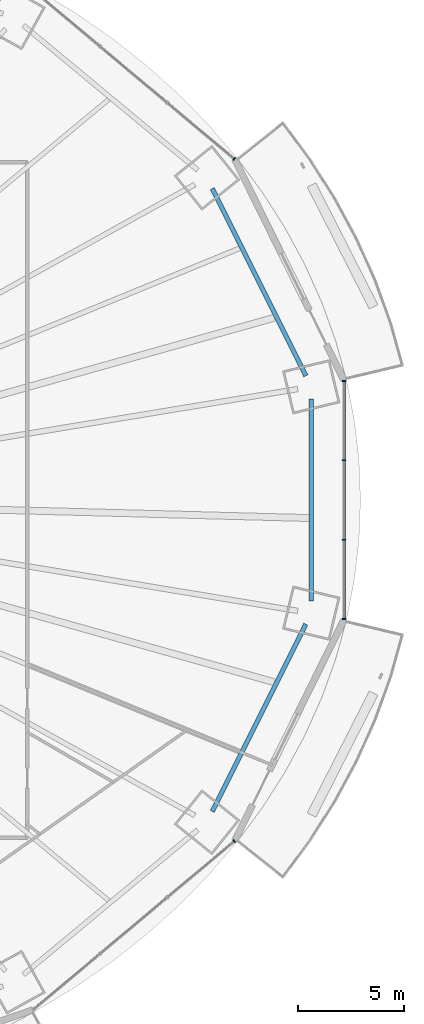
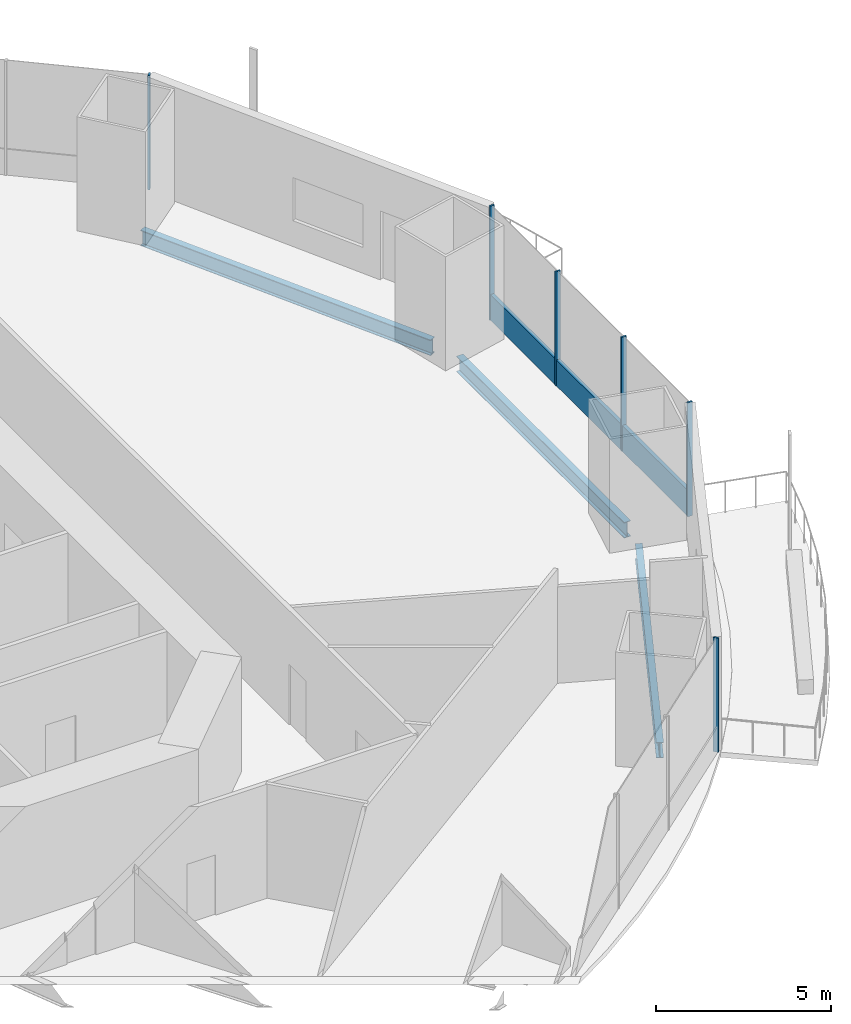
# One storey, part 11 of 22: 7 members, 3 beams, 3 elements without a shape of their own.
"""IFC4 building model written with IfcOpenShell, lengths in metres."""

from ifc_helpers import new_model, si_unit, direction, frame, origin, origin_2d, place, context, subcontext, project, spatial, rectangle, i_section, extrude, material, material_profile, profile_set, type_object, element, aggregate, save


model = new_model("IFC4")

# Units and contexts
model_context = context("Model", 3, precision=1e-05, world=origin(), true_north=direction((0.0, 1.0)))
body_context = subcontext(model_context, "Body", "Model", "MODEL_VIEW")
ifc_project = project(units=[si_unit("LENGTHUNIT", "METRE"), si_unit("AREAUNIT", "SQUARE_METRE"), si_unit("VOLUMEUNIT", "CUBIC_METRE"), si_unit("PLANEANGLEUNIT", "RADIAN"), si_unit("MASSUNIT", "GRAM", prefix="KILO")], contexts=[model_context])

# Site, building, storey
site_placement = place(None, origin())
site = spatial("IfcSite", under=ifc_project, at=site_placement, CompositionType="ELEMENT")
building_placement = place(site_placement, origin())
building = spatial("IfcBuilding", under=site, at=building_placement, Name="Marenthal Gate Tower", CompositionType="ELEMENT")
storey_placement = place(building_placement, frame((0.0, 0.0, 95.25)))
storey = spatial("IfcBuildingStorey", under=building, at=storey_placement, Name="L19", CompositionType="ELEMENT", Elevation=95.25)

# Curtain wall, member
ifc_material_1 = material(Name="Aluminium and glass", Category="aluminium")
curtain_wall_type = type_object("IfcCurtainWallType", Name="Curtain wall typical low", PredefinedType="NOTDEFINED", material=ifc_material_1)
curtain_wall_1_placement = place(storey_placement, origin())
curtain_wall_1 = element("IfcCurtainWall", 1, at=curtain_wall_1_placement, inside=storey, type_object=curtain_wall_type, Name="Curtain wall L19 bay 2", PredefinedType="NOTDEFINED")
ifc_material_2 = material(Name="Aluminium", Category="aluminium")
ifc_material_profile_1 = material_profile(ifc_material_2, rectangle(XDim=0.159912109375, YDim=0.06005859375, at=origin_2d()), Name="60x160 aluminium mullion")
ifc_profile_set_1 = profile_set([ifc_material_profile_1], Name="Aluminium")
member_type_1 = type_object("IfcMemberType", Name="Mullion 60x160 typical low", PredefinedType="MULLION", material=ifc_profile_set_1)
member_1_placement = place(storey_placement, frame((28.802490234375, 16.16015625, 0.0), z_axis=(0.0, 0.0, 1.0), x_axis=(-0.642307658805, -0.766446913648, 0.0)))
member_1 = element("IfcMember", 2, at=member_1_placement, type_object=member_type_1, Name="Mullion L19 bay 2.1", PredefinedType="MULLION", context=body_context, shape_type="SweptSolid", body=[
    extrude(rectangle(XDim=0.159912109375, YDim=0.06005859375, at=origin_2d()), origin(), (0.0, 0.0, 1.0), 3.969970703125),
])
aggregate(curtain_wall_1, [member_1])

curtain_wall_2_placement = place(storey_placement, origin())
curtain_wall_2 = element("IfcCurtainWall", 3, at=curtain_wall_2_placement, inside=storey, type_object=curtain_wall_type, Name="Curtain wall L19 bay 14", PredefinedType="NOTDEFINED")
member_2_placement = place(storey_placement, frame((28.802490234375, -16.160400390625, 0.0), z_axis=(0.0, 0.0, 1.0), x_axis=(-0.642307658805, 0.766446913648, 0.0)))
member_2 = element("IfcMember", 4, at=member_2_placement, type_object=member_type_1, Name="Mullion L19 bay 14.4", PredefinedType="MULLION", context=body_context, shape_type="SweptSolid", body=[
    extrude(rectangle(XDim=0.159912109375, YDim=0.06005859375, at=origin_2d()), origin(), (0.0, 0.0, 1.0), 3.969970703125),
])
aggregate(curtain_wall_2, [member_2])

# Curtain wall, members
curtain_wall_3_placement = place(storey_placement, origin())
curtain_wall_3 = element("IfcCurtainWall", 5, at=curtain_wall_3_placement, inside=storey, type_object=curtain_wall_type, Name="Curtain wall L19 bay 16", PredefinedType="NOTDEFINED")
member_3_placement = place(storey_placement, frame((34.001953125, -5.637939453125, 0.0), z_axis=(0.0, 0.0, 1.0), x_axis=(-1.0, 0.0, 0.0)))
member_3 = element("IfcMember", 6, at=member_3_placement, type_object=member_type_1, Name="Mullion L19 bay 16.1", PredefinedType="MULLION", context=body_context, shape_type="SweptSolid", body=[
    extrude(rectangle(XDim=0.159912109375, YDim=0.06005859375, at=origin_2d()), origin(), (0.0, 0.0, 1.0), 3.969970703125),
])
member_4_placement = place(storey_placement, frame((34.001953125, -1.87939453125, 0.0), z_axis=(0.0, 0.0, 1.0), x_axis=(-1.0, 0.0, 0.0)))
member_4 = element("IfcMember", 7, at=member_4_placement, type_object=member_type_1, Name="Mullion L19 bay 16.2", PredefinedType="MULLION", context=body_context, shape_type="SweptSolid", body=[
    extrude(rectangle(XDim=0.159912109375, YDim=0.06005859375, at=origin_2d()), origin(), (0.0, 0.0, 1.0), 3.969970703125),
])
member_5_placement = place(storey_placement, frame((34.001953125, 1.87939453125, 0.0), z_axis=(0.0, 0.0, 1.0), x_axis=(-1.0, 0.0, 0.0)))
member_5 = element("IfcMember", 8, at=member_5_placement, type_object=member_type_1, Name="Mullion L19 bay 16.3", PredefinedType="MULLION", context=body_context, shape_type="SweptSolid", body=[
    extrude(rectangle(XDim=0.159912109375, YDim=0.06005859375, at=origin_2d()), origin(), (0.0, 0.0, 1.0), 3.969970703125),
])
member_6_placement = place(storey_placement, frame((34.001953125, 5.637939453125, 0.0), z_axis=(0.0, 0.0, 1.0), x_axis=(-1.0, 0.0, 0.0)))
member_6 = element("IfcMember", 9, at=member_6_placement, type_object=member_type_1, Name="Mullion L19 bay 16.4", PredefinedType="MULLION", context=body_context, shape_type="SweptSolid", body=[
    extrude(rectangle(XDim=0.159912109375, YDim=0.06005859375, at=origin_2d()), origin(), (0.0, 0.0, 1.0), 3.969970703125),
])
ifc_material_3 = material(Name="Aluminium", Category="aluminium")
ifc_material_profile_2 = material_profile(ifc_material_3, rectangle(XDim=0.1201171875, YDim=0.89990234375, at=origin_2d()), Name="120x900 aluminium transom")
ifc_profile_set_2 = profile_set([ifc_material_profile_2], Name="Aluminium")
member_type_2 = type_object("IfcMemberType", Name="Transom 120x900 typical low", PredefinedType="USERDEFINED", material=ifc_profile_set_2)
member_7_placement = place(storey_placement, frame((34.001953125, -5.60791015625, 0.449951171875), z_axis=(0.0, 1.0, 0.0), x_axis=(-1.0, 0.0, 0.0)))
member_7 = element("IfcMember", 10, at=member_7_placement, type_object=member_type_2, Name="Transom L19 bay 16", ObjectType="TRANSOM", PredefinedType="USERDEFINED", context=body_context, shape_type="SweptSolid", body=[
    extrude(rectangle(XDim=0.1201171875, YDim=0.89990234375, at=origin_2d()), origin(), (0.0, 0.0, 1.0), 11.2158203125),
])
aggregate(curtain_wall_3, [member_3, member_4, member_5, member_6, member_7])

# Beams
ifc_material_4 = material(Name="Steel S355", Category="steel")
ifc_material_profile_3 = material_profile(ifc_material_4, i_section(OverallWidth=0.2119140625, OverallDepth=0.5439453125, WebThickness=0.01318359375, FlangeThickness=0.021240234375, FilletRadius=0.0126953125, at=origin_2d()), Name="W530X123")
ifc_profile_set_3 = profile_set([ifc_material_profile_3], Name="Steel S355")
beam_type = type_object("IfcBeamType", Name="W530X123 beam", PredefinedType="BEAM", material=ifc_profile_set_3)
for number, where, z_axis, x_axis, name in (
    (11, (32.1943359375, 5.876708984375, -0.451904296875), (-0.446405750938, 0.89483065746, 0.0), (-0.89483065746, -0.446405750938, 0.0), "BM-L19-41"),
    (12, (27.768310546875, -14.748779296875, -0.451904296875), (0.446405750938, 0.89483065746, 0.0), (-0.89483065746, 0.446405750938, 0.0), "BM-L19-55"),
):
    element("IfcBeam", number, at=place(storey_placement, frame(where, z_axis=z_axis, x_axis=x_axis)), inside=storey, type_object=beam_type, Name=name, PredefinedType="BEAM", context=body_context, shape_type="SweptSolid", body=[
        extrude(i_section(OverallWidth=0.2119140625, OverallDepth=0.5439453125, WebThickness=0.01318359375, FlangeThickness=0.021240234375, FilletRadius=0.0126953125, at=origin_2d()), origin(), (0.0, 0.0, 1.0), 9.914794921875),
    ])
beam_placement = place(storey_placement, frame((32.4521484375, -4.780029296875, -0.451904296875), z_axis=(0.0, 1.0, 0.0), x_axis=(-1.0, 0.0, 0.0)))
element("IfcBeam", 13, at=beam_placement, inside=storey, type_object=beam_type, Name="BM-L19-56", PredefinedType="BEAM", context=body_context, shape_type="SweptSolid", body=[
    extrude(i_section(OverallWidth=0.2119140625, OverallDepth=0.5439453125, WebThickness=0.01318359375, FlangeThickness=0.021240234375, FilletRadius=0.0126953125, at=origin_2d()), origin(), (0.0, 0.0, 1.0), 9.56005859375),
])

save(model, "model.ifc")
